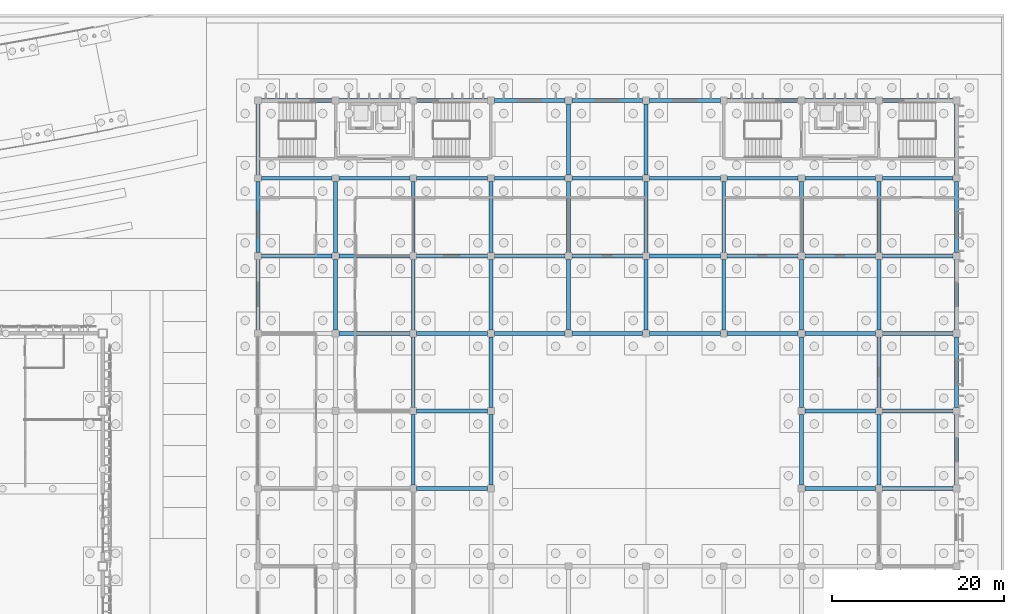
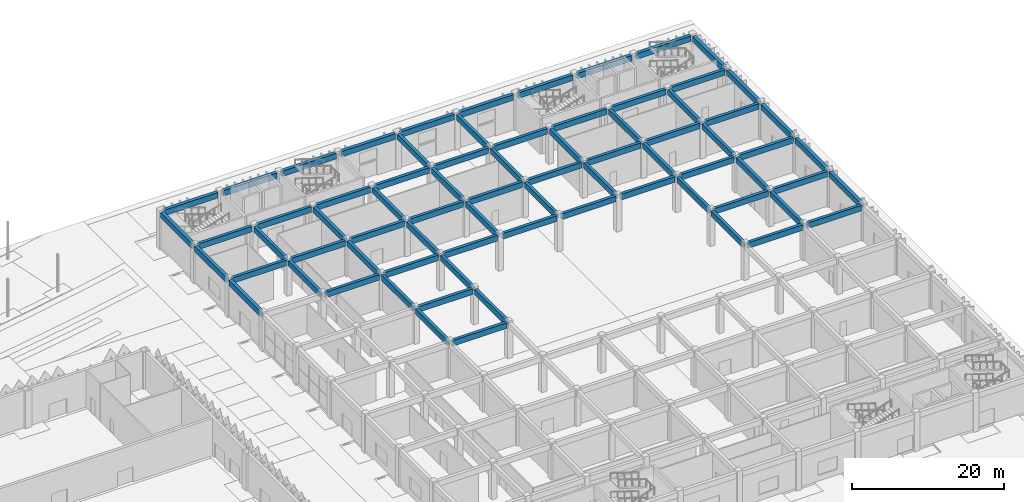
# One storey, part 63 of 198: 75 beams.
"""IFC4 building model written with IfcOpenShell, lengths in metres."""

from ifc_helpers import new_model, si_unit, direction, frame, origin, origin_2d, place, context, subcontext, project, spatial, rectangle, extrude, material, material_profile, profile_set, type_object, element, save


model = new_model("IFC4")

# Units and contexts
model_context = context("Model", 3, precision=1e-05, world=origin(), true_north=direction((0.0, 1.0)))
body_context = subcontext(model_context, "Body", "Model", "MODEL_VIEW")
ifc_project = project(units=[si_unit("LENGTHUNIT", "METRE"), si_unit("AREAUNIT", "SQUARE_METRE"), si_unit("VOLUMEUNIT", "CUBIC_METRE"), si_unit("PLANEANGLEUNIT", "RADIAN"), si_unit("MASSUNIT", "GRAM", prefix="KILO")], contexts=[model_context])

# Site, building, storey
site_placement = place(None, origin())
site = spatial("IfcSite", under=ifc_project, at=site_placement, CompositionType="ELEMENT")
building_placement = place(site_placement, origin())
building = spatial("IfcBuilding", under=site, at=building_placement, Name="Opaline Strait Convention Centre", CompositionType="ELEMENT")
storey_placement = place(building_placement, origin())
storey = spatial("IfcBuildingStorey", under=building, at=storey_placement, Name="L00", CompositionType="ELEMENT", Elevation=0.0)

# Beams
ifc_material = material(Name="Concrete C35", Category="concrete")
ifc_material_profile_1 = material_profile(ifc_material, rectangle(XDim=0.449951171875, YDim=0.89990234375, at=origin_2d()), Name="RC 450x900")
ifc_profile_set_1 = profile_set([ifc_material_profile_1], Name="Concrete C35")
beam_type_1 = type_object("IfcBeamType", Name="RC beam 450x900 C35", PredefinedType="BEAM", material=ifc_profile_set_1)
for number, where, z_axis, x_axis, name in (
    (1, (297.39990234375, 135.0, 5.27001953125), (1.0, 0.0, 0.0), (0.0, 1.0, 0.0), "XB1 L00 34/R-35/R"),
    (2, (342.39990234375, 135.0, 5.27001953125), (1.0, 0.0, 0.0), (0.0, 1.0, 0.0), "XB1 L00 39/R-40/R"),
    (3, (351.39990234375, 135.0, 5.27001953125), (1.0, 0.0, 0.0), (0.0, 1.0, 0.0), "XB1 L00 40/R-41/R"),
    (4, (297.39990234375, 144.0, 5.27001953125), (1.0, 0.0, 0.0), (0.0, 1.0, 0.0), "XB1 L00 34/S-35/S"),
    (5, (342.39990234375, 144.0, 5.27001953125), (1.0, 0.0, 0.0), (0.0, 1.0, 0.0), "XB1 L00 39/S-40/S"),
    (6, (351.39990234375, 144.0, 5.27001953125), (1.0, 0.0, 0.0), (0.0, 1.0, 0.0), "XB1 L00 40/S-41/S"),
    (7, (288.39990234375, 153.0, 5.27001953125), (1.0, 0.0, 0.0), (0.0, 1.0, 0.0), "XB1 L00 33/T-34/T"),
    (8, (297.39990234375, 153.0, 5.27001953125), (1.0, 0.0, 0.0), (0.0, 1.0, 0.0), "XB1 L00 34/T-35/T"),
    (9, (306.39990234375, 153.0, 5.27001953125), (1.0, 0.0, 0.0), (0.0, 1.0, 0.0), "XB1 L00 35/T-36/T"),
    (10, (315.39990234375, 153.0, 5.27001953125), (1.0, 0.0, 0.0), (0.0, 1.0, 0.0), "XB1 L00 36/T-37/T"),
    (11, (324.39990234375, 153.0, 5.27001953125), (1.0, 0.0, 0.0), (0.0, 1.0, 0.0), "XB1 L00 37/T-38/T"),
    (12, (333.39990234375, 153.0, 5.27001953125), (1.0, 0.0, 0.0), (0.0, 1.0, 0.0), "XB1 L00 38/T-39/T"),
    (13, (342.39990234375, 153.0, 5.27001953125), (1.0, 0.0, 0.0), (0.0, 1.0, 0.0), "XB1 L00 39/T-40/T"),
    (14, (351.39990234375, 153.0, 5.27001953125), (1.0, 0.0, 0.0), (0.0, 1.0, 0.0), "XB1 L00 40/T-41/T"),
    (15, (279.39990234375, 162.0, 5.27001953125), (1.0, 0.0, 0.0), (0.0, 1.0, 0.0), "XB1 L00 32/U-33/U"),
    (16, (288.39990234375, 162.0, 5.27001953125), (1.0, 0.0, 0.0), (0.0, 1.0, 0.0), "XB1 L00 33/U-34/U"),
    (17, (297.39990234375, 162.0, 5.27001953125), (1.0, 0.0, 0.0), (0.0, 1.0, 0.0), "XB1 L00 34/U-35/U"),
    (18, (306.39990234375, 162.0, 5.27001953125), (1.0, 0.0, 0.0), (0.0, 1.0, 0.0), "XB1 L00 35/U-36/U"),
    (19, (315.39990234375, 162.0, 5.27001953125), (1.0, 0.0, 0.0), (0.0, 1.0, 0.0), "XB1 L00 36/U-37/U"),
    (20, (324.39990234375, 162.0, 5.27001953125), (1.0, 0.0, 0.0), (0.0, 1.0, 0.0), "XB1 L00 37/U-38/U"),
    (21, (333.39990234375, 162.0, 5.27001953125), (1.0, 0.0, 0.0), (0.0, 1.0, 0.0), "XB1 L00 38/U-39/U"),
    (22, (342.39990234375, 162.0, 5.27001953125), (1.0, 0.0, 0.0), (0.0, 1.0, 0.0), "XB1 L00 39/U-40/U"),
    (23, (351.39990234375, 162.0, 5.27001953125), (1.0, 0.0, 0.0), (0.0, 1.0, 0.0), "XB1 L00 40/U-41/U"),
    (24, (279.39990234375, 171.0, 5.27001953125), (1.0, 0.0, 0.0), (0.0, 1.0, 0.0), "XB1 L00 32/V-33/V"),
    (25, (288.39990234375, 171.0, 5.27001953125), (1.0, 0.0, 0.0), (0.0, 1.0, 0.0), "XB1 L00 33/V-34/V"),
    (26, (297.39990234375, 171.0, 5.27001953125), (1.0, 0.0, 0.0), (0.0, 1.0, 0.0), "XB1 L00 34/V-35/V"),
    (27, (306.39990234375, 171.0, 5.27001953125), (1.0, 0.0, 0.0), (0.0, 1.0, 0.0), "XB1 L00 35/V-36/V"),
    (28, (315.39990234375, 171.0, 5.27001953125), (1.0, 0.0, 0.0), (0.0, 1.0, 0.0), "XB1 L00 36/V-37/V"),
    (29, (324.39990234375, 171.0, 5.27001953125), (1.0, 0.0, 0.0), (0.0, 1.0, 0.0), "XB1 L00 37/V-38/V"),
    (30, (333.39990234375, 171.0, 5.27001953125), (1.0, 0.0, 0.0), (0.0, 1.0, 0.0), "XB1 L00 38/V-39/V"),
    (31, (342.39990234375, 171.0, 5.27001953125), (1.0, 0.0, 0.0), (0.0, 1.0, 0.0), "XB1 L00 39/V-40/V"),
    (32, (351.39990234375, 171.0, 5.27001953125), (1.0, 0.0, 0.0), (0.0, 1.0, 0.0), "XB1 L00 40/V-41/V"),
    (33, (288.0, 153.39990234375, 5.27001953125), (0.0, 1.0, 0.0), (-1.0, 0.0, 0.0), "XB1 L00 33/T-33/U"),
    (34, (288.0, 162.39990234375, 5.27001953125), (0.0, 1.0, 0.0), (-1.0, 0.0, 0.0), "XB1 L00 33/U-33/V"),
    (35, (297.0, 135.39990234375, 5.27001953125), (0.0, 1.0, 0.0), (-1.0, 0.0, 0.0), "XB1 L00 34/R-34/S"),
    (36, (297.0, 144.39990234375, 5.27001953125), (0.0, 1.0, 0.0), (-1.0, 0.0, 0.0), "XB1 L00 34/S-34/T"),
    (37, (297.0, 153.39990234375, 5.27001953125), (0.0, 1.0, 0.0), (-1.0, 0.0, 0.0), "XB1 L00 34/T-34/U"),
    (38, (297.0, 162.39990234375, 5.27001953125), (0.0, 1.0, 0.0), (-1.0, 0.0, 0.0), "XB1 L00 34/U-34/V"),
    (39, (306.0, 135.39990234375, 5.27001953125), (0.0, 1.0, 0.0), (-1.0, 0.0, 0.0), "XB1 L00 35/R-35/S"),
    (40, (306.0, 144.39990234375, 5.27001953125), (0.0, 1.0, 0.0), (-1.0, 0.0, 0.0), "XB1 L00 35/S-35/T"),
    (41, (306.0, 153.39990234375, 5.27001953125), (0.0, 1.0, 0.0), (-1.0, 0.0, 0.0), "XB1 L00 35/T-35/U"),
    (42, (306.0, 162.39990234375, 5.27001953125), (0.0, 1.0, 0.0), (-1.0, 0.0, 0.0), "XB1 L00 35/U-35/V"),
    (43, (315.0, 153.39990234375, 5.27001953125), (0.0, 1.0, 0.0), (-1.0, 0.0, 0.0), "XB1 L00 36/T-36/U"),
    (44, (315.0, 162.39990234375, 5.27001953125), (0.0, 1.0, 0.0), (-1.0, 0.0, 0.0), "XB1 L00 36/U-36/V"),
    (45, (315.0, 171.39990234375, 5.27001953125), (0.0, 1.0, 0.0), (-1.0, 0.0, 0.0), "XB1 L00 36/V-36/W"),
    (46, (324.0, 153.39990234375, 5.27001953125), (0.0, 1.0, 0.0), (-1.0, 0.0, 0.0), "XB1 L00 37/T-37/U"),
    (47, (324.0, 162.39990234375, 5.27001953125), (0.0, 1.0, 0.0), (-1.0, 0.0, 0.0), "XB1 L00 37/U-37/V"),
    (48, (324.0, 171.39990234375, 5.27001953125), (0.0, 1.0, 0.0), (-1.0, 0.0, 0.0), "XB1 L00 37/V-37/W"),
    (49, (333.0, 153.39990234375, 5.27001953125), (0.0, 1.0, 0.0), (-1.0, 0.0, 0.0), "XB1 L00 38/T-38/U"),
    (50, (333.0, 162.39990234375, 5.27001953125), (0.0, 1.0, 0.0), (-1.0, 0.0, 0.0), "XB1 L00 38/U-38/V"),
    (51, (342.0, 135.39990234375, 5.27001953125), (0.0, 1.0, 0.0), (-1.0, 0.0, 0.0), "XB1 L00 39/R-39/S"),
    (52, (342.0, 144.39990234375, 5.27001953125), (0.0, 1.0, 0.0), (-1.0, 0.0, 0.0), "XB1 L00 39/S-39/T"),
    (53, (342.0, 153.39990234375, 5.27001953125), (0.0, 1.0, 0.0), (-1.0, 0.0, 0.0), "XB1 L00 39/T-39/U"),
    (54, (342.0, 162.39990234375, 5.27001953125), (0.0, 1.0, 0.0), (-1.0, 0.0, 0.0), "XB1 L00 39/U-39/V"),
    (55, (351.0, 135.39990234375, 5.27001953125), (0.0, 1.0, 0.0), (-1.0, 0.0, 0.0), "XB1 L00 40/R-40/S"),
    (56, (351.0, 144.39990234375, 5.27001953125), (0.0, 1.0, 0.0), (-1.0, 0.0, 0.0), "XB1 L00 40/S-40/T"),
    (57, (351.0, 153.39990234375, 5.27001953125), (0.0, 1.0, 0.0), (-1.0, 0.0, 0.0), "XB1 L00 40/T-40/U"),
    (58, (351.0, 162.39990234375, 5.27001953125), (0.0, 1.0, 0.0), (-1.0, 0.0, 0.0), "XB1 L00 40/U-40/V"),
):
    element("IfcBeam", number, at=place(storey_placement, frame(where, z_axis=z_axis, x_axis=x_axis)), inside=storey, type_object=beam_type_1, Name=name, PredefinedType="BEAM", context=body_context, shape_type="SweptSolid", body=[
        extrude(rectangle(XDim=0.449951171875, YDim=0.89990234375, at=origin_2d()), origin(), (0.0, 0.0, 1.0), 8.2001953125),
    ])
ifc_material_profile_2 = material_profile(ifc_material, rectangle(XDim=0.5, YDim=0.89990234375, at=origin_2d()), Name="RC 500x900")
ifc_profile_set_2 = profile_set([ifc_material_profile_2], Name="Concrete C35")
beam_type_2 = type_object("IfcBeamType", Name="RC edge beam 500x900 C35", PredefinedType="BEAM", material=ifc_profile_set_2)
for number, where, z_axis, x_axis, name in (
    (59, (279.39990234375, 180.0, 5.27001953125), (1.0, 0.0, 0.0), (0.0, 1.0, 0.0), "MRB2 L00 32/W-33/W"),
    (60, (288.39990234375, 180.0, 5.27001953125), (1.0, 0.0, 0.0), (0.0, 1.0, 0.0), "MRB2 L00 33/W-34/W"),
    (61, (297.39990234375, 180.0, 5.27001953125), (1.0, 0.0, 0.0), (0.0, 1.0, 0.0), "MRB2 L00 34/W-35/W"),
    (62, (306.39990234375, 180.0, 5.27001953125), (1.0, 0.0, 0.0), (0.0, 1.0, 0.0), "MRB2 L00 35/W-36/W"),
    (63, (315.39990234375, 180.0, 5.27001953125), (1.0, 0.0, 0.0), (0.0, 1.0, 0.0), "MRB2 L00 36/W-37/W"),
    (64, (324.39990234375, 180.0, 5.27001953125), (1.0, 0.0, 0.0), (0.0, 1.0, 0.0), "MRB2 L00 37/W-38/W"),
    (65, (333.39990234375, 180.0, 5.27001953125), (1.0, 0.0, 0.0), (0.0, 1.0, 0.0), "MRB2 L00 38/W-39/W"),
    (66, (342.39990234375, 180.0, 5.27001953125), (1.0, 0.0, 0.0), (0.0, 1.0, 0.0), "MRB2 L00 39/W-40/W"),
    (67, (351.39990234375, 180.0, 5.27001953125), (1.0, 0.0, 0.0), (0.0, 1.0, 0.0), "MRB2 L00 40/W-41/W"),
    (68, (279.0, 153.39990234375, 5.27001953125), (0.0, 1.0, 0.0), (-1.0, 0.0, 0.0), "MRB2 L00 32/T-32/U"),
    (69, (279.0, 162.39990234375, 5.27001953125), (0.0, 1.0, 0.0), (-1.0, 0.0, 0.0), "MRB2 L00 32/U-32/V"),
    (70, (279.0, 171.39990234375, 5.27001953125), (0.0, 1.0, 0.0), (-1.0, 0.0, 0.0), "MRB2 L00 32/V-32/W"),
    (71, (360.0, 135.39990234375, 5.27001953125), (0.0, 1.0, 0.0), (-1.0, 0.0, 0.0), "MRB2 L00 41/R-41/S"),
    (72, (360.0, 144.39990234375, 5.27001953125), (0.0, 1.0, 0.0), (-1.0, 0.0, 0.0), "MRB2 L00 41/S-41/T"),
    (73, (360.0, 153.39990234375, 5.27001953125), (0.0, 1.0, 0.0), (-1.0, 0.0, 0.0), "MRB2 L00 41/T-41/U"),
    (74, (360.0, 162.39990234375, 5.27001953125), (0.0, 1.0, 0.0), (-1.0, 0.0, 0.0), "MRB2 L00 41/U-41/V"),
    (75, (360.0, 171.39990234375, 5.27001953125), (0.0, 1.0, 0.0), (-1.0, 0.0, 0.0), "MRB2 L00 41/V-41/W"),
):
    element("IfcBeam", number, at=place(storey_placement, frame(where, z_axis=z_axis, x_axis=x_axis)), inside=storey, type_object=beam_type_2, Name=name, PredefinedType="BEAM", context=body_context, shape_type="SweptSolid", body=[
        extrude(rectangle(XDim=0.5, YDim=0.89990234375, at=origin_2d()), origin(), (0.0, 0.0, 1.0), 8.2001953125),
    ])

save(model, "model.ifc")
